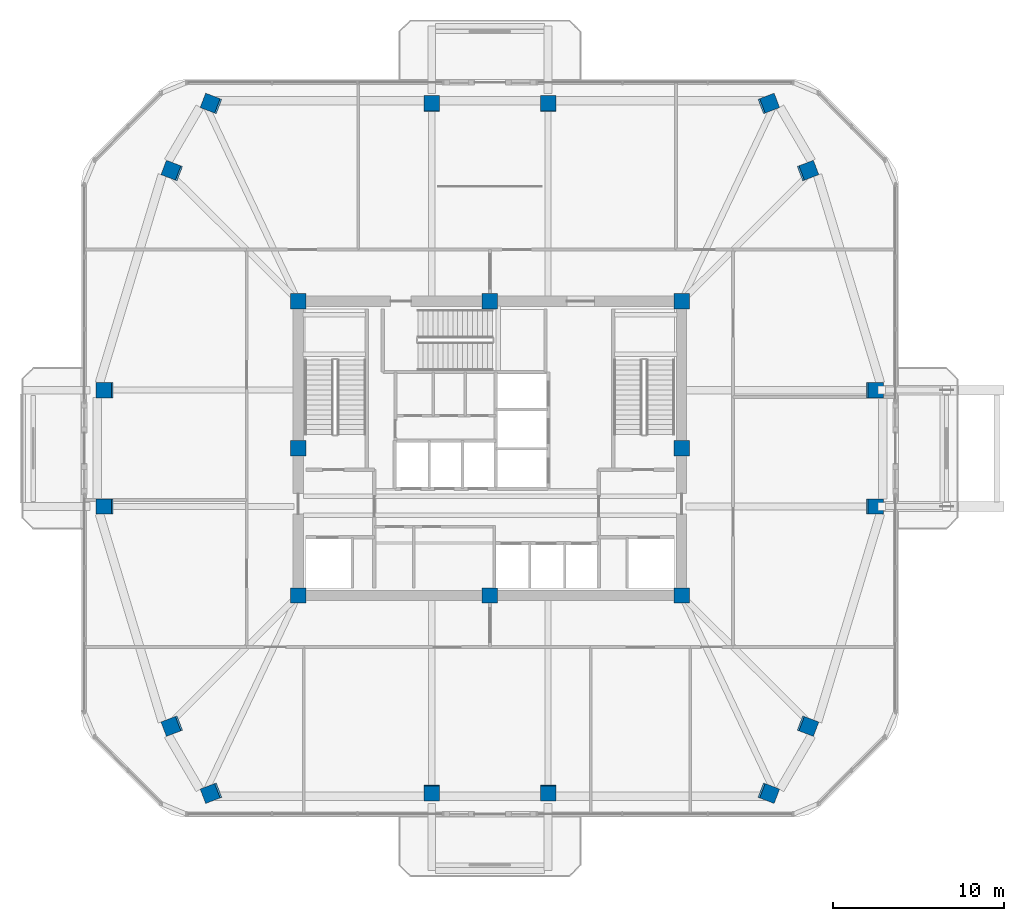
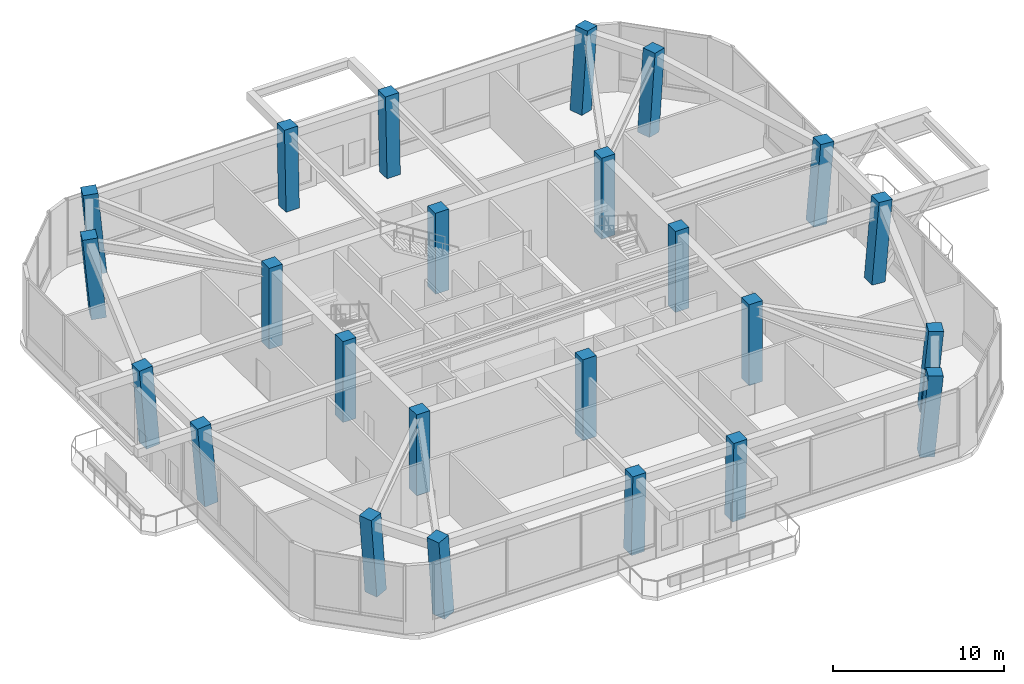
# One storey, part 1 of 14: 24 columns.
"""IFC4 building model written with IfcOpenShell, lengths in metres."""

from ifc_helpers import new_model, si_unit, derived_unit, direction, frame, origin, origin_2d, place, context, subcontext, project, spatial, rectangle, extrude, material, material_profile, profile_set, type_object, element, save


model = new_model("IFC4")

# Units and contexts
model_context = context("Model", 3, precision=1e-05, world=origin(), true_north=direction((0.0, 1.0)))
body_context = subcontext(model_context, "Body", "Model", "MODEL_VIEW")
ifc_project = project(units=[si_unit("LENGTHUNIT", "METRE"), si_unit("AREAUNIT", "SQUARE_METRE"), si_unit("VOLUMEUNIT", "CUBIC_METRE"), si_unit("PLANEANGLEUNIT", "RADIAN"), si_unit("MASSUNIT", "GRAM", prefix="KILO"), derived_unit("THERMALTRANSMITTANCEUNIT", [(si_unit("POWERUNIT", "WATT"), 1), (si_unit("LENGTHUNIT", "METRE"), -2), (si_unit("THERMODYNAMICTEMPERATUREUNIT", "KELVIN"), -1)])], contexts=[model_context])

# Site, building, storey
site_placement = place(None, origin())
site = spatial("IfcSite", under=ifc_project, at=site_placement, CompositionType="ELEMENT")
building_placement = place(site_placement, origin())
building = spatial("IfcBuilding", under=site, at=building_placement, Name="Koralith Skygarden Medical Center", CompositionType="ELEMENT")
storey_placement = place(building_placement, frame((0.0, 0.0, 182.699951171875)))
storey = spatial("IfcBuildingStorey", under=building, at=storey_placement, Name="L47", CompositionType="ELEMENT", Elevation=182.699951171875)

# Columns
ifc_material = material(Name="Concrete C55/67", Category="concrete")
ifc_material_profile_1 = material_profile(ifc_material, rectangle(XDim=0.89990234375, YDim=0.89990234375, at=origin_2d()), Name="RC900X900")
ifc_profile_set_1 = profile_set([ifc_material_profile_1], Name="Concrete C55/67")
column_type_1 = type_object("IfcColumnType", Name="Core Column C55 RC900", PredefinedType="COLUMN", material=ifc_profile_set_1)
for number, where, z_axis, x_axis, name in (
    (1, (25.800048828125, 17.300048828125, 0.0), (0.0, 0.0, 1.0), (1.0, 0.0, 0.0), "L47 Core Column CC-01"),
    (2, (37.0, 17.300048828125, 0.0), (0.0, 0.0, 1.0), (1.0, 0.0, 0.0), "L47 Core Column CC-02"),
    (3, (48.199951171875, 17.300048828125, 0.0), (0.0, 0.0, 1.0), (1.0, 0.0, 0.0), "L47 Core Column CC-03"),
    (4, (48.199951171875, 25.89990234375, 0.0), (0.0, 0.0, 1.0), (1.0, 0.0, 0.0), "L47 Core Column CC-04"),
    (5, (48.199951171875, 34.5, 0.0), (0.0, 0.0, 1.0), (1.0, 0.0, 0.0), "L47 Core Column CC-05"),
    (6, (37.0, 34.5, 0.0), (0.0, 0.0, 1.0), (1.0, 0.0, 0.0), "L47 Core Column CC-06"),
    (7, (25.800048828125, 34.5, 0.0), (0.0, 0.0, 1.0), (1.0, 0.0, 0.0), "L47 Core Column CC-07"),
    (8, (25.800048828125, 25.89990234375, 0.0), (0.0, 0.0, 1.0), (1.0, 0.0, 0.0), "L47 Core Column CC-08"),
):
    element("IfcColumn", number, at=place(storey_placement, frame(where, z_axis=z_axis, x_axis=x_axis)), inside=storey, type_object=column_type_1, Name=name, PredefinedType="COLUMN", context=body_context, shape_type="SweptSolid", body=[
        extrude(rectangle(XDim=0.89990234375, YDim=0.89990234375, at=origin_2d()), origin(), (0.0, 0.0, 1.0), 5.760009765625),
    ])
ifc_material_profile_2 = material_profile(ifc_material, rectangle(XDim=0.89990234375, YDim=0.89990234375, at=origin_2d()), Name="RC900X900")
ifc_profile_set_2 = profile_set([ifc_material_profile_2], Name="Concrete C55/67")
column_type_2 = type_object("IfcColumnType", Name="Zone 4 Flare Mega-Column C55 RC900", PredefinedType="COLUMN", material=ifc_profile_set_2)
column_1_placement = place(storey_placement, frame((14.54296875, 22.5, 0.02099609375), z_axis=(-0.084323511756, 0.0, 0.996438430293), x_axis=(0.0, -1.0, 0.0)))
element("IfcColumn", 9, at=column_1_placement, inside=storey, type_object=column_type_2, Name="L47 Perimeter Mega-Column MC-01", PredefinedType="COLUMN", context=body_context, shape_type="SweptSolid", body=[
    extrude(rectangle(XDim=0.89990234375, YDim=0.89990234375, at=origin_2d()), origin(), (0.0, 0.0, 1.0), 5.738525390625),
])
for number, where, z_axis, x_axis, name in (
    (10, (18.462890625, 9.68994140625, 0.02099609375), (-0.084110812517, -0.032232556061, 0.995934954476), (0.35783996932, -0.933782927857, 0.0), "L47 Perimeter Mega-Column MC-02"),
    (11, (20.7548828125, 5.77001953125, 0.02099609375), (-0.084279234925, -0.032402006565, 0.995915217542), (0.358852845894, -0.933394147718, 0.0), "L47 Perimeter Mega-Column MC-03"),
):
    element("IfcColumn", number, at=place(storey_placement, frame(where, z_axis=z_axis, x_axis=x_axis)), inside=storey, type_object=column_type_2, Name=name, PredefinedType="COLUMN", context=body_context, shape_type="SweptSolid", body=[
        extrude(rectangle(XDim=0.89990234375, YDim=0.89990234375, at=origin_2d()), origin(), (0.0, 0.0, 1.0), 5.741455078125),
    ])
for number, where, z_axis, x_axis, name in (
    (12, (33.60009765625, 5.77001953125, 0.02099609375), (0.0, -0.032517698807, 0.999471159796), (1.0, 0.0, 0.0), "L47 Perimeter Mega-Column MC-04"),
    (13, (40.39990234375, 5.77001953125, 0.02099609375), (0.0, -0.032517698807, 0.999471159796), (1.0, 0.0, 0.0), "L47 Perimeter Mega-Column MC-05"),
):
    element("IfcColumn", number, at=place(storey_placement, frame(where, z_axis=z_axis, x_axis=x_axis)), inside=storey, type_object=column_type_2, Name=name, PredefinedType="COLUMN", context=body_context, shape_type="SweptSolid", body=[
        extrude(rectangle(XDim=0.89990234375, YDim=0.89990234375, at=origin_2d()), origin(), (0.0, 0.0, 1.0), 5.720947265625),
    ])
for number, where, z_axis, x_axis, name in (
    (14, (53.2451171875, 5.77001953125, 0.02099609375), (0.084279234925, -0.032402006565, 0.995915217542), (0.358852845894, 0.933394147718, 0.0), "L47 Perimeter Mega-Column MC-06"),
    (15, (55.537109375, 9.68994140625, 0.02099609375), (0.084110812517, -0.032232556061, 0.995934954476), (0.35783996932, 0.933782927857, 0.0), "L47 Perimeter Mega-Column MC-07"),
):
    element("IfcColumn", number, at=place(storey_placement, frame(where, z_axis=z_axis, x_axis=x_axis)), inside=storey, type_object=column_type_2, Name=name, PredefinedType="COLUMN", context=body_context, shape_type="SweptSolid", body=[
        extrude(rectangle(XDim=0.89990234375, YDim=0.89990234375, at=origin_2d()), origin(), (0.0, 0.0, 1.0), 5.741455078125),
    ])
for number, where, z_axis, x_axis, name in (
    (16, (59.45703125, 22.5, 0.02099609375), (0.084323511756, 0.0, 0.996438430293), (0.0, 1.0, 0.0), "L47 Perimeter Mega-Column MC-08"),
    (17, (59.45703125, 29.300048828125, 0.02099609375), (0.084323511756, 0.0, 0.996438430293), (0.0, 1.0, 0.0), "L47 Perimeter Mega-Column MC-09"),
):
    element("IfcColumn", number, at=place(storey_placement, frame(where, z_axis=z_axis, x_axis=x_axis)), inside=storey, type_object=column_type_2, Name=name, PredefinedType="COLUMN", context=body_context, shape_type="SweptSolid", body=[
        extrude(rectangle(XDim=0.89990234375, YDim=0.89990234375, at=origin_2d()), origin(), (0.0, 0.0, 1.0), 5.738525390625),
    ])
for number, where, z_axis, x_axis, name in (
    (18, (55.537109375, 42.110107421875, 0.02099609375), (0.084110927726, 0.032190076991, 0.995936318637), (-0.357428230782, 0.933940608304, 0.0), "L47 Perimeter Mega-Column MC-10"),
    (19, (53.2451171875, 46.030029296875, 0.02099609375), (0.084279698192, 0.032232094465, 0.995920691902), (-0.357210020418, 0.934024090328, 0.0), "L47 Perimeter Mega-Column MC-11"),
):
    element("IfcColumn", number, at=place(storey_placement, frame(where, z_axis=z_axis, x_axis=x_axis)), inside=storey, type_object=column_type_2, Name=name, PredefinedType="COLUMN", context=body_context, shape_type="SweptSolid", body=[
        extrude(rectangle(XDim=0.89990234375, YDim=0.89990234375, at=origin_2d()), origin(), (0.0, 0.0, 1.0), 5.741455078125),
    ])
for number, where, z_axis, x_axis, name in (
    (20, (40.39990234375, 46.030029296875, 0.02099609375), (0.0, 0.032347181303, 0.999476693006), (-1.0, 0.0, 0.0), "L47 Perimeter Mega-Column MC-12"),
    (21, (33.60009765625, 46.030029296875, 0.02099609375), (0.0, 0.032347181303, 0.999476693006), (-1.0, 0.0, 0.0), "L47 Perimeter Mega-Column MC-13"),
):
    element("IfcColumn", number, at=place(storey_placement, frame(where, z_axis=z_axis, x_axis=x_axis)), inside=storey, type_object=column_type_2, Name=name, PredefinedType="COLUMN", context=body_context, shape_type="SweptSolid", body=[
        extrude(rectangle(XDim=0.89990234375, YDim=0.89990234375, at=origin_2d()), origin(), (0.0, 0.0, 1.0), 5.720947265625),
    ])
for number, where, z_axis, x_axis, name in (
    (22, (20.7548828125, 46.030029296875, 0.02099609375), (-0.084279698192, 0.032232094465, 0.995920691902), (-0.357210020418, -0.934024090328, 0.0), "L47 Perimeter Mega-Column MC-14"),
    (23, (18.462890625, 42.110107421875, 0.02099609375), (-0.084110927726, 0.032190076991, 0.995936318637), (-0.357428230782, -0.933940608304, 0.0), "L47 Perimeter Mega-Column MC-15"),
):
    element("IfcColumn", number, at=place(storey_placement, frame(where, z_axis=z_axis, x_axis=x_axis)), inside=storey, type_object=column_type_2, Name=name, PredefinedType="COLUMN", context=body_context, shape_type="SweptSolid", body=[
        extrude(rectangle(XDim=0.89990234375, YDim=0.89990234375, at=origin_2d()), origin(), (0.0, 0.0, 1.0), 5.741455078125),
    ])
column_2_placement = place(storey_placement, frame((14.54296875, 29.300048828125, 0.02099609375), z_axis=(-0.084323511756, 0.0, 0.996438430293), x_axis=(0.0, -1.0, 0.0)))
element("IfcColumn", 24, at=column_2_placement, inside=storey, type_object=column_type_2, Name="L47 Perimeter Mega-Column MC-16", PredefinedType="COLUMN", context=body_context, shape_type="SweptSolid", body=[
    extrude(rectangle(XDim=0.89990234375, YDim=0.89990234375, at=origin_2d()), origin(), (0.0, 0.0, 1.0), 5.738525390625),
])

save(model, "model.ifc")
